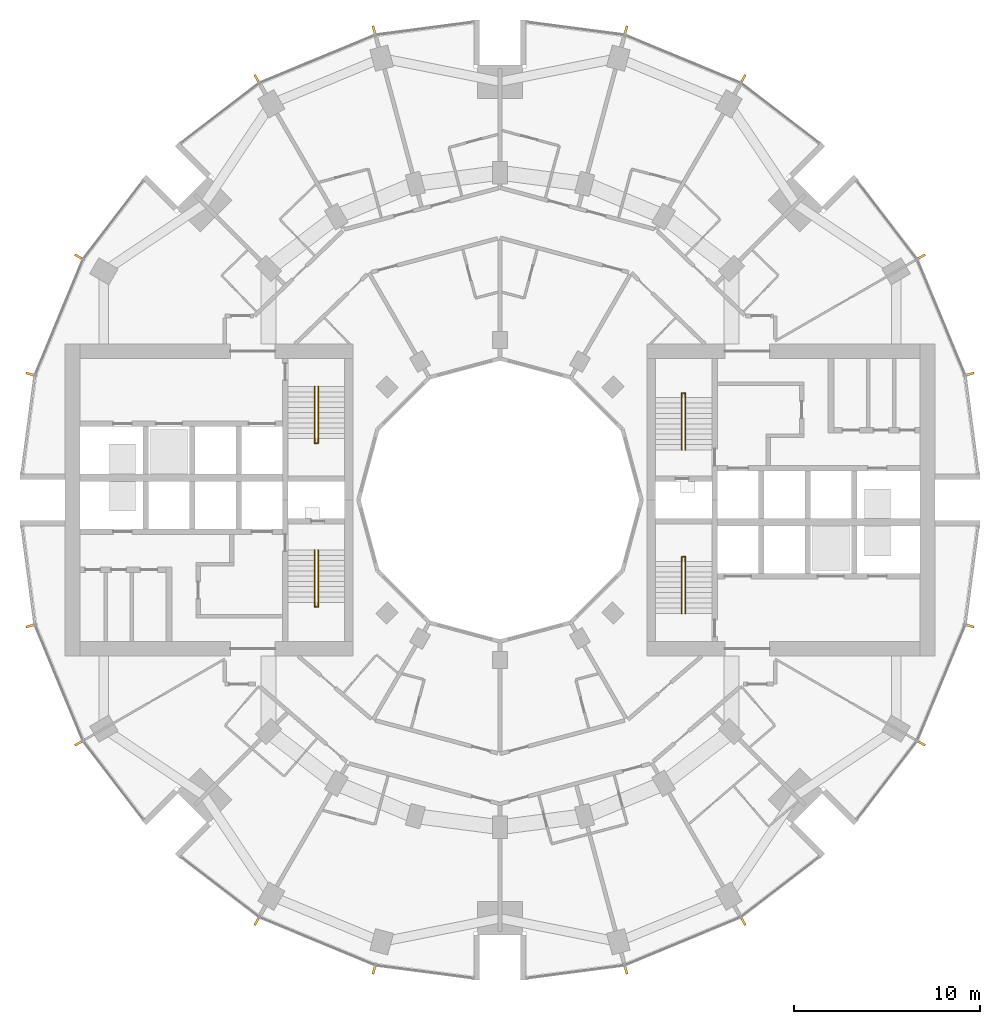
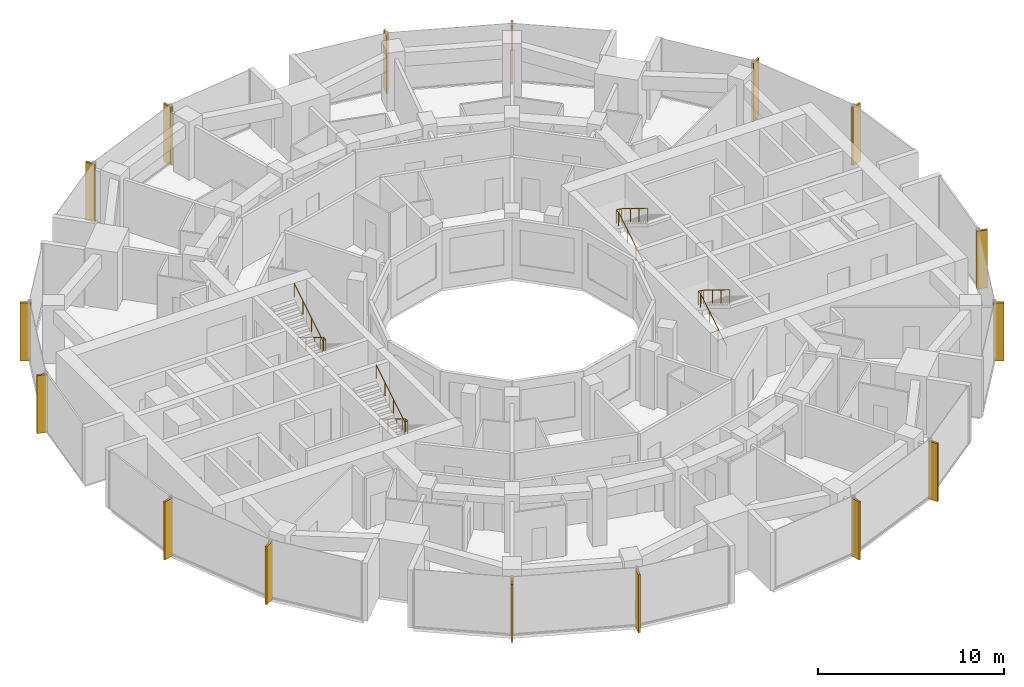
# One storey, part 14 of 15: 16 shading devices, 4 railings.
"""IFC4 building model written with IfcOpenShell, lengths in metres."""

from ifc_helpers import new_model, si_unit, direction, frame, origin, origin_2d, place, context, subcontext, project, spatial, rectangle, circle, extrude, material, material_profile, profile_set, type_object, element, save


model = new_model("IFC4")

# Units and contexts
model_context = context("Model", 3, precision=1e-05, world=origin(), true_north=direction((0.0, 1.0)))
body_context = subcontext(model_context, "Body", "Model", "MODEL_VIEW")
ifc_project = project(units=[si_unit("LENGTHUNIT", "METRE"), si_unit("AREAUNIT", "SQUARE_METRE"), si_unit("VOLUMEUNIT", "CUBIC_METRE"), si_unit("PLANEANGLEUNIT", "RADIAN"), si_unit("MASSUNIT", "GRAM", prefix="KILO")], contexts=[model_context])

# Site, building, storey
site_placement = place(None, origin())
site = spatial("IfcSite", under=ifc_project, at=site_placement, CompositionType="ELEMENT")
building_placement = place(site_placement, origin())
building = spatial("IfcBuilding", under=site, at=building_placement, Name="Torre Brocal", CompositionType="ELEMENT")
storey_placement = place(building_placement, frame((0.0, 0.0, 36.39990234375)))
storey = spatial("IfcBuildingStorey", under=building, at=storey_placement, Name="L07", CompositionType="ELEMENT", Elevation=36.39990234375)

# Shading devices
ifc_material_1 = material(Name="Aluminium, black anodised", Category="aluminium")
ifc_material_profile = material_profile(ifc_material_1, rectangle(XDim=0.1201171875, YDim=0.60009765625, at=origin_2d()), Name="FIN 120X600 3800 HIGH")
ifc_profile_set = profile_set([ifc_material_profile], Name="Aluminium, black anodised")
shading_device_type = type_object("IfcShadingDeviceType", Name="FIN 120X600 3800 HIGH", PredefinedType="USERDEFINED", material=ifc_profile_set)
for number, where, z_axis, x_axis, name in (
    (1, (105.208984375, 81.754638671875, -0.14990234375), (0.0, 0.0, 1.0), (-0.258819045103, 0.965925826289, 0.0), "FIN"),
    (2, (102.601806640625, 88.049072265625, -0.14990234375), (0.0, 0.0, 1.0), (-0.5, 0.866025403784, 0.0), "FIN"),
    (3, (93.049072265625, 97.601806640625, -0.14990234375), (0.0, 0.0, 1.0), (-0.866025403784, 0.5, 0.0), "FIN"),
    (4, (86.754638671875, 100.208984375, -0.14990234375), (0.0, 0.0, 1.0), (-0.965925826289, 0.258819045103, 0.0), "FIN"),
    (5, (73.245361328125, 100.208984375, -0.14990234375), (0.0, 0.0, 1.0), (-0.965925826289, -0.258819045103, 0.0), "FIN"),
    (6, (66.950927734375, 97.601806640625, -0.14990234375), (0.0, 0.0, 1.0), (-0.866025403784, -0.5, 0.0), "FIN"),
    (7, (57.398193359375, 88.049072265625, -0.14990234375), (0.0, 0.0, 1.0), (-0.5, -0.866025403784, 0.0), "FIN"),
    (8, (54.791015625, 81.754638671875, -0.14990234375), (0.0, 0.0, 1.0), (-0.258819045103, -0.965925826289, 0.0), "FIN"),
    (9, (54.791015625, 68.245361328125, -0.14990234375), (0.0, 0.0, 1.0), (0.258819045103, -0.965925826289, 0.0), "FIN"),
    (10, (57.398193359375, 61.950927734375, -0.14990234375), (0.0, 0.0, 1.0), (0.5, -0.866025403784, 0.0), "FIN"),
    (11, (66.950927734375, 52.398193359375, -0.14990234375), (0.0, 0.0, 1.0), (0.866025403784, -0.5, 0.0), "FIN"),
    (12, (73.245361328125, 49.791015625, -0.14990234375), (0.0, 0.0, 1.0), (0.965925826289, -0.258819045103, 0.0), "FIN"),
    (13, (86.754638671875, 49.791015625, -0.14990234375), (0.0, 0.0, 1.0), (0.965925826289, 0.258819045103, 0.0), "FIN"),
    (14, (93.049072265625, 52.398193359375, -0.14990234375), (0.0, 0.0, 1.0), (0.866025403784, 0.5, 0.0), "FIN"),
    (15, (102.601806640625, 61.950927734375, -0.14990234375), (0.0, 0.0, 1.0), (0.5, 0.866025403784, 0.0), "FIN"),
    (16, (105.208984375, 68.245361328125, -0.14990234375), (0.0, 0.0, 1.0), (0.258819045103, 0.965925826289, 0.0), "FIN"),
):
    element("IfcShadingDevice", number, at=place(storey_placement, frame(where, z_axis=z_axis, x_axis=x_axis)), inside=storey, type_object=shading_device_type, Name=name, ObjectType="FIN", PredefinedType="USERDEFINED", context=body_context, shape_type="SweptSolid", body=[
        extrude(rectangle(XDim=0.1201171875, YDim=0.60009765625, at=origin_2d()), origin(), (0.0, 0.0, 1.0), 3.800048828125),
    ])

# Railings
ifc_material_2 = material(Name="Stainless steel AISI 316", Category="steel")
railing_type = type_object("IfcRailingType", Name="STAIR HANDRAIL", PredefinedType="HANDRAIL", material=ifc_material_2)
railing_1_placement = place(storey_placement, frame((89.780029296875, 77.699951171875, 0.1728515625)))
element("IfcRailing", 17, at=railing_1_placement, inside=storey, type_object=railing_type, Name="HANDRAIL ST1", PredefinedType="HANDRAIL", context=body_context, shape_type="SweptSolid", body=[
    extrude(circle(Radius=0.02392578125, at=origin_2d()), frame((0.0, 0.0, 0.8759765625), z_axis=(0.0, 0.851089632645, 0.525020415988), x_axis=(-1.0, 0.0, 0.0)), (0.0, 0.0, 1.0), 3.2900390625),
    extrude(circle(Radius=0.02392578125, at=origin_2d()), frame((0.0, 2.800048828125, 2.60302734375), z_axis=(0.0, 1.0, 0.0), x_axis=(-1.0, 0.0, 0.0)), (0.0, 0.0, 1.0), 0.25),
    extrude(circle(Radius=0.02392578125, at=origin_2d()), frame((0.0, 3.050048828125, 2.60302734375), z_axis=(1.0, 0.0, 0.0), x_axis=(0.0, 1.0, 0.0)), (0.0, 0.0, 1.0), 0.18994140625),
    extrude(circle(Radius=0.02392578125, at=origin_2d()), frame((0.18994140625, 3.050048828125, 2.60302734375), z_axis=(0.0, -0.822914792866, 0.568164803277), x_axis=(1.0, 0.0, 0.0)), (0.0, 0.0, 1.0), 0.3037109375),
    extrude(circle(Radius=0.02392578125, at=origin_2d()), frame((0.18994140625, 2.800048828125, 2.77587890625), z_axis=(0.0, -0.851089632645, 0.525020415988), x_axis=(1.0, 0.0, 0.0)), (0.0, 0.0, 1.0), 3.2900390625),
    extrude(circle(Radius=0.02099609375, at=origin_2d()), origin(), (0.0, 0.0, 1.0), 0.851806640625),
    extrude(circle(Radius=0.02099609375, at=origin_2d()), frame((0.0, 0.933349609375, 0.57568359375)), (0.0, 0.0, 1.0), 0.851806640625),
    extrude(circle(Radius=0.02099609375, at=origin_2d()), frame((0.0, 1.86669921875, 1.151611328125)), (0.0, 0.0, 1.0), 0.851806640625),
    extrude(circle(Radius=0.02099609375, at=origin_2d()), frame((0.0, 2.800048828125, 1.727294921875)), (0.0, 0.0, 1.0), 0.851806640625),
    extrude(circle(Radius=0.02099609375, at=origin_2d()), frame((0.0, 3.050048828125, 1.727294921875)), (0.0, 0.0, 1.0), 0.851806640625),
    extrude(circle(Radius=0.02099609375, at=origin_2d()), frame((0.18994140625, 3.050048828125, 1.727294921875)), (0.0, 0.0, 1.0), 0.851806640625),
    extrude(circle(Radius=0.02099609375, at=origin_2d()), frame((0.18994140625, 2.800048828125, 1.89990234375)), (0.0, 0.0, 1.0), 0.851806640625),
    extrude(circle(Radius=0.02099609375, at=origin_2d()), frame((0.18994140625, 1.86669921875, 2.4755859375)), (0.0, 0.0, 1.0), 0.851806640625),
    extrude(circle(Radius=0.02099609375, at=origin_2d()), frame((0.18994140625, 0.933349609375, 3.051513671875)), (0.0, 0.0, 1.0), 0.851806640625),
    extrude(circle(Radius=0.02099609375, at=origin_2d()), frame((0.18994140625, 0.0, 3.627197265625)), (0.0, 0.0, 1.0), 0.851806640625),
])
railing_2_placement = place(storey_placement, frame((89.780029296875, 68.89990234375, 0.1728515625)))
element("IfcRailing", 18, at=railing_2_placement, inside=storey, type_object=railing_type, Name="HANDRAIL ST2", PredefinedType="HANDRAIL", context=body_context, shape_type="SweptSolid", body=[
    extrude(circle(Radius=0.02392578125, at=origin_2d()), frame((0.0, 0.0, 0.8759765625), z_axis=(0.0, 0.851089632645, 0.525020415988), x_axis=(-1.0, 0.0, 0.0)), (0.0, 0.0, 1.0), 3.2900390625),
    extrude(circle(Radius=0.02392578125, at=origin_2d()), frame((0.0, 2.800048828125, 2.60302734375), z_axis=(0.0, 1.0, 0.0), x_axis=(-1.0, 0.0, 0.0)), (0.0, 0.0, 1.0), 0.25),
    extrude(circle(Radius=0.02392578125, at=origin_2d()), frame((0.0, 3.050048828125, 2.60302734375), z_axis=(1.0, 0.0, 0.0), x_axis=(0.0, 1.0, 0.0)), (0.0, 0.0, 1.0), 0.18994140625),
    extrude(circle(Radius=0.02392578125, at=origin_2d()), frame((0.18994140625, 3.050048828125, 2.60302734375), z_axis=(0.0, -0.822914792866, 0.568164803277), x_axis=(1.0, 0.0, 0.0)), (0.0, 0.0, 1.0), 0.3037109375),
    extrude(circle(Radius=0.02392578125, at=origin_2d()), frame((0.18994140625, 2.800048828125, 2.77587890625), z_axis=(0.0, -0.851089632645, 0.525020415988), x_axis=(1.0, 0.0, 0.0)), (0.0, 0.0, 1.0), 3.2900390625),
    extrude(circle(Radius=0.02099609375, at=origin_2d()), origin(), (0.0, 0.0, 1.0), 0.851806640625),
    extrude(circle(Radius=0.02099609375, at=origin_2d()), frame((0.0, 0.933349609375, 0.57568359375)), (0.0, 0.0, 1.0), 0.851806640625),
    extrude(circle(Radius=0.02099609375, at=origin_2d()), frame((0.0, 1.86669921875, 1.151611328125)), (0.0, 0.0, 1.0), 0.851806640625),
    extrude(circle(Radius=0.02099609375, at=origin_2d()), frame((0.0, 2.800048828125, 1.727294921875)), (0.0, 0.0, 1.0), 0.851806640625),
    extrude(circle(Radius=0.02099609375, at=origin_2d()), frame((0.0, 3.050048828125, 1.727294921875)), (0.0, 0.0, 1.0), 0.851806640625),
    extrude(circle(Radius=0.02099609375, at=origin_2d()), frame((0.18994140625, 3.050048828125, 1.727294921875)), (0.0, 0.0, 1.0), 0.851806640625),
    extrude(circle(Radius=0.02099609375, at=origin_2d()), frame((0.18994140625, 2.800048828125, 1.89990234375)), (0.0, 0.0, 1.0), 0.851806640625),
    extrude(circle(Radius=0.02099609375, at=origin_2d()), frame((0.18994140625, 1.86669921875, 2.4755859375)), (0.0, 0.0, 1.0), 0.851806640625),
    extrude(circle(Radius=0.02099609375, at=origin_2d()), frame((0.18994140625, 0.933349609375, 3.051513671875)), (0.0, 0.0, 1.0), 0.851806640625),
    extrude(circle(Radius=0.02099609375, at=origin_2d()), frame((0.18994140625, 0.0, 3.627197265625)), (0.0, 0.0, 1.0), 0.851806640625),
])
railing_3_placement = place(storey_placement, frame((70.219970703125, 72.300048828125, 0.1728515625)))
element("IfcRailing", 19, at=railing_3_placement, inside=storey, type_object=railing_type, Name="HANDRAIL ST3", PredefinedType="HANDRAIL", context=body_context, shape_type="SweptSolid", body=[
    extrude(circle(Radius=0.02392578125, at=origin_2d()), frame((0.0, 0.0, 0.8759765625), z_axis=(0.0, -0.851089632645, 0.525020415988), x_axis=(1.0, 0.0, 0.0)), (0.0, 0.0, 1.0), 3.2900390625),
    extrude(circle(Radius=0.02392578125, at=origin_2d()), frame((0.0, -2.800048828125, 2.60302734375), z_axis=(0.0, -1.0, 0.0), x_axis=(1.0, 0.0, 0.0)), (0.0, 0.0, 1.0), 0.25),
    extrude(circle(Radius=0.02392578125, at=origin_2d()), frame((0.0, -3.050048828125, 2.60302734375), z_axis=(-1.0, 0.0, 0.0), x_axis=(0.0, -1.0, 0.0)), (0.0, 0.0, 1.0), 0.18994140625),
    extrude(circle(Radius=0.02392578125, at=origin_2d()), frame((-0.18994140625, -3.050048828125, 2.60302734375), z_axis=(0.0, 0.822914792866, 0.568164803277), x_axis=(-1.0, 0.0, 0.0)), (0.0, 0.0, 1.0), 0.3037109375),
    extrude(circle(Radius=0.02392578125, at=origin_2d()), frame((-0.18994140625, -2.800048828125, 2.77587890625), z_axis=(0.0, 0.851089632645, 0.525020415988), x_axis=(-1.0, 0.0, 0.0)), (0.0, 0.0, 1.0), 3.2900390625),
    extrude(circle(Radius=0.02099609375, at=origin_2d()), origin(), (0.0, 0.0, 1.0), 0.851806640625),
    extrude(circle(Radius=0.02099609375, at=origin_2d()), frame((0.0, -0.933349609375, 0.57568359375)), (0.0, 0.0, 1.0), 0.851806640625),
    extrude(circle(Radius=0.02099609375, at=origin_2d()), frame((0.0, -1.86669921875, 1.151611328125)), (0.0, 0.0, 1.0), 0.851806640625),
    extrude(circle(Radius=0.02099609375, at=origin_2d()), frame((0.0, -2.800048828125, 1.727294921875)), (0.0, 0.0, 1.0), 0.851806640625),
    extrude(circle(Radius=0.02099609375, at=origin_2d()), frame((0.0, -3.050048828125, 1.727294921875)), (0.0, 0.0, 1.0), 0.851806640625),
    extrude(circle(Radius=0.02099609375, at=origin_2d()), frame((-0.18994140625, -3.050048828125, 1.727294921875)), (0.0, 0.0, 1.0), 0.851806640625),
    extrude(circle(Radius=0.02099609375, at=origin_2d()), frame((-0.18994140625, -2.800048828125, 1.89990234375)), (0.0, 0.0, 1.0), 0.851806640625),
    extrude(circle(Radius=0.02099609375, at=origin_2d()), frame((-0.18994140625, -1.86669921875, 2.4755859375)), (0.0, 0.0, 1.0), 0.851806640625),
    extrude(circle(Radius=0.02099609375, at=origin_2d()), frame((-0.18994140625, -0.933349609375, 3.051513671875)), (0.0, 0.0, 1.0), 0.851806640625),
    extrude(circle(Radius=0.02099609375, at=origin_2d()), frame((-0.18994140625, 0.0, 3.627197265625)), (0.0, 0.0, 1.0), 0.851806640625),
])
railing_4_placement = place(storey_placement, frame((70.219970703125, 81.10009765625, 0.1728515625)))
element("IfcRailing", 20, at=railing_4_placement, inside=storey, type_object=railing_type, Name="HANDRAIL ST4", PredefinedType="HANDRAIL", context=body_context, shape_type="SweptSolid", body=[
    extrude(circle(Radius=0.02392578125, at=origin_2d()), frame((0.0, 0.0, 0.8759765625), z_axis=(0.0, -0.851089632645, 0.525020415988), x_axis=(1.0, 0.0, 0.0)), (0.0, 0.0, 1.0), 3.2900390625),
    extrude(circle(Radius=0.02392578125, at=origin_2d()), frame((0.0, -2.800048828125, 2.60302734375), z_axis=(0.0, -1.0, 0.0), x_axis=(1.0, 0.0, 0.0)), (0.0, 0.0, 1.0), 0.25),
    extrude(circle(Radius=0.02392578125, at=origin_2d()), frame((0.0, -3.050048828125, 2.60302734375), z_axis=(-1.0, 0.0, 0.0), x_axis=(0.0, -1.0, 0.0)), (0.0, 0.0, 1.0), 0.18994140625),
    extrude(circle(Radius=0.02392578125, at=origin_2d()), frame((-0.18994140625, -3.050048828125, 2.60302734375), z_axis=(0.0, 0.822914792866, 0.568164803277), x_axis=(-1.0, 0.0, 0.0)), (0.0, 0.0, 1.0), 0.3037109375),
    extrude(circle(Radius=0.02392578125, at=origin_2d()), frame((-0.18994140625, -2.800048828125, 2.77587890625), z_axis=(0.0, 0.851089632645, 0.525020415988), x_axis=(-1.0, 0.0, 0.0)), (0.0, 0.0, 1.0), 3.2900390625),
    extrude(circle(Radius=0.02099609375, at=origin_2d()), origin(), (0.0, 0.0, 1.0), 0.851806640625),
    extrude(circle(Radius=0.02099609375, at=origin_2d()), frame((0.0, -0.933349609375, 0.57568359375)), (0.0, 0.0, 1.0), 0.851806640625),
    extrude(circle(Radius=0.02099609375, at=origin_2d()), frame((0.0, -1.86669921875, 1.151611328125)), (0.0, 0.0, 1.0), 0.851806640625),
    extrude(circle(Radius=0.02099609375, at=origin_2d()), frame((0.0, -2.800048828125, 1.727294921875)), (0.0, 0.0, 1.0), 0.851806640625),
    extrude(circle(Radius=0.02099609375, at=origin_2d()), frame((0.0, -3.050048828125, 1.727294921875)), (0.0, 0.0, 1.0), 0.851806640625),
    extrude(circle(Radius=0.02099609375, at=origin_2d()), frame((-0.18994140625, -3.050048828125, 1.727294921875)), (0.0, 0.0, 1.0), 0.851806640625),
    extrude(circle(Radius=0.02099609375, at=origin_2d()), frame((-0.18994140625, -2.800048828125, 1.89990234375)), (0.0, 0.0, 1.0), 0.851806640625),
    extrude(circle(Radius=0.02099609375, at=origin_2d()), frame((-0.18994140625, -1.86669921875, 2.4755859375)), (0.0, 0.0, 1.0), 0.851806640625),
    extrude(circle(Radius=0.02099609375, at=origin_2d()), frame((-0.18994140625, -0.933349609375, 3.051513671875)), (0.0, 0.0, 1.0), 0.851806640625),
    extrude(circle(Radius=0.02099609375, at=origin_2d()), frame((-0.18994140625, 0.0, 3.627197265625)), (0.0, 0.0, 1.0), 0.851806640625),
])

save(model, "model.ifc")
